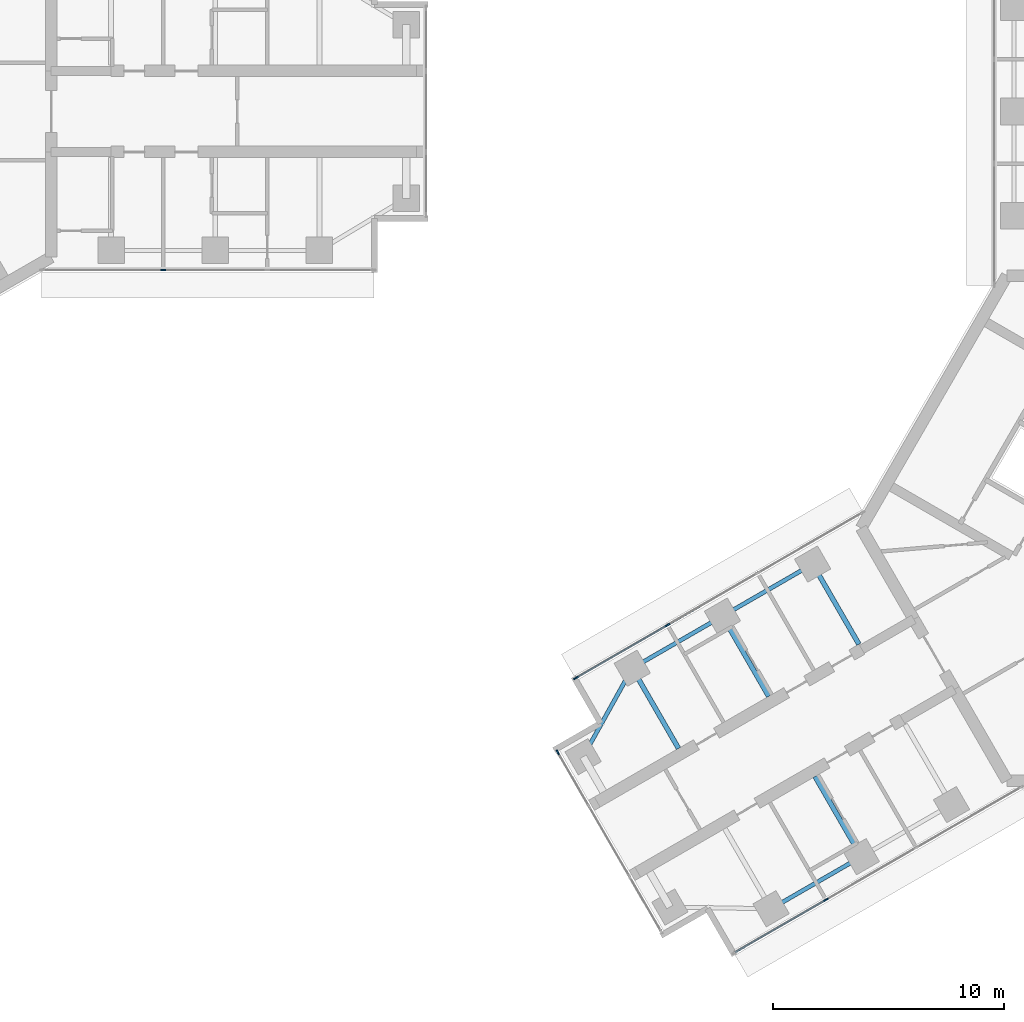
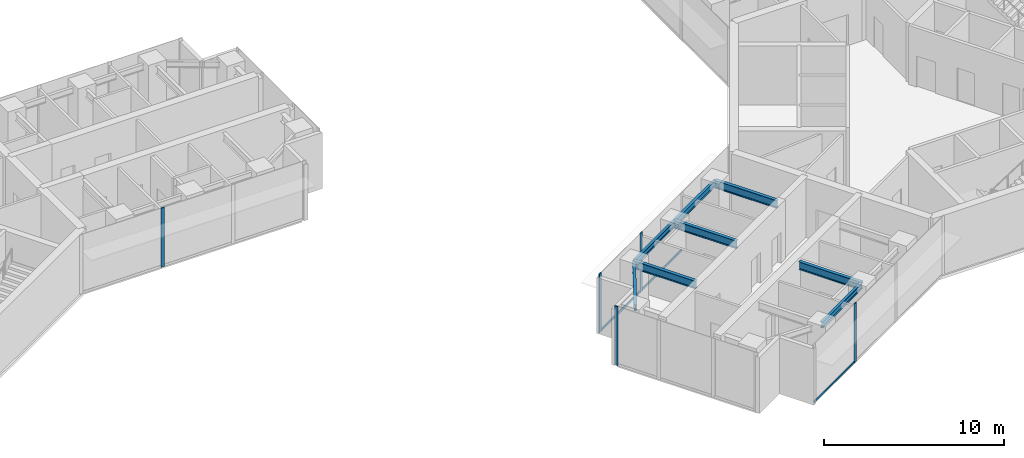
# One storey, part 3 of 17: 8 beams, 8 members, 4 elements without a shape of their own.
"""IFC4 building model written with IfcOpenShell, lengths in metres."""

import ifcopenshell
import ifcopenshell.guid

model = None  # the IFC model being written
_history = None  # IfcOwnerHistory: only IFC2X3 demands one
_inside = {}  # id of a spatial element -> (the spatial element, [elements in it])
_under = {}  # id of a project, library or spatial element -> (it, [spatial elements below it])
_declared = {}  # id of a project -> (the project, [libraries it declares])
_typed = {}  # id of a type object -> (the type object, [elements of that type])
_made_of = {}  # id of a material, layer set ... -> (it, [elements and type objects made of it])


def new_model(schema):
    """Start an empty IFC model of exactly this schema.

    Asked for "IFC4X3", IfcOpenShell would pick the latest addendum, in which some entities
    have other attributes; the version numbers below select the first issue.
    IFC2X3 requires an IfcOwnerHistory on every rooted entity: one is made here for all.
    """
    global model, _history
    if schema == "IFC4X3":
        model = ifcopenshell.file(schema_version=(4, 3, 0, 0))
    else:
        model = ifcopenshell.file(schema=schema)
    _inside.clear()
    _under.clear()
    _declared.clear()
    _typed.clear()
    _made_of.clear()
    _history = None
    if model.schema == "IFC2X3":
        org = make("IfcOrganization", Name="unknown")
        user = make(
            "IfcPersonAndOrganization",
            ThePerson=make("IfcPerson", FamilyName="unknown"),
            TheOrganization=org,
        )
        app = make(
            "IfcApplication",
            ApplicationDeveloper=org,
            Version="unknown",
            ApplicationFullName="unknown",
            ApplicationIdentifier="unknown",
        )
        _history = make(
            "IfcOwnerHistory",
            OwningUser=user,
            OwningApplication=app,
            ChangeAction="ADDED",
            CreationDate=0,
        )
    return model


def make(cls, **values):
    """One entity of the class cls with the attributes given. An attribute that is None is left unset."""
    return model.create_entity(
        cls, **{name: value for name, value in values.items() if value is not None}
    )


def rooted(cls, **values):
    """An entity with a GlobalId (a new one), such as an element, a storey or a relation."""
    return make(cls, GlobalId=ifcopenshell.guid.new(), OwnerHistory=_history, **values)


def si_unit(unit_type, name, prefix=None):
    """IfcSIUnit, for example si_unit("LENGTHUNIT", "METRE", prefix="MILLI")."""
    return make("IfcSIUnit", UnitType=unit_type, Prefix=prefix, Name=name)


def assignment(units):
    """IfcUnitAssignment: the units of a project."""
    return None if units is None else make("IfcUnitAssignment", Units=units)


def point(xyz):
    """IfcCartesianPoint."""
    return None if xyz is None else make("IfcCartesianPoint", Coordinates=xyz)


def direction(xyz):
    """IfcDirection."""
    return None if xyz is None else make("IfcDirection", DirectionRatios=xyz)


def frame(location, z_axis=None, x_axis=None):
    """IfcAxis2Placement3D, a coordinate frame: its origin and axes. An axis left out is left unset."""
    return make(
        "IfcAxis2Placement3D",
        Location=point(location),
        Axis=direction(z_axis),
        RefDirection=direction(x_axis),
    )


def frame_2d(location, x_axis=None):
    """IfcAxis2Placement2D, a coordinate frame in the plane: its origin and x axis."""
    return make(
        "IfcAxis2Placement2D", Location=point(location), RefDirection=direction(x_axis)
    )


def origin():
    """The frame at (0, 0, 0) with its axes left unset."""
    return frame((0.0, 0.0, 0.0))


def origin_2d():
    """The frame at (0, 0) in the plane with its x axis left unset."""
    return frame_2d((0.0, 0.0))


def place(relative_to, where):
    """IfcLocalPlacement: puts the frame where relative to a parent placement (None: the world)."""
    return make(
        "IfcLocalPlacement", PlacementRelTo=relative_to, RelativePlacement=where
    )


def context(
    kind, dimensions, precision=None, world=None, true_north=None, identifier=None
):
    """IfcGeometricRepresentationContext, for example the 3D "Model" context."""
    return make(
        "IfcGeometricRepresentationContext",
        ContextIdentifier=identifier,
        ContextType=kind,
        CoordinateSpaceDimension=dimensions,
        Precision=precision,
        WorldCoordinateSystem=world,
        TrueNorth=true_north,
    )


def subcontext(parent, identifier, kind, view, scale=None):
    """IfcGeometricRepresentationSubContext, for example "Body" below "Model"."""
    return make(
        "IfcGeometricRepresentationSubContext",
        ContextIdentifier=identifier,
        ContextType=kind,
        ParentContext=parent,
        TargetScale=scale,
        TargetView=view,
    )


def project(units=None, contexts=None):
    """IfcProject with its units and contexts."""
    return rooted(
        "IfcProject",
        Name="project",
        RepresentationContexts=contexts,
        UnitsInContext=assignment(units),
    )


def spatial(cls, under=None, at=None, **own):
    """A site, building, storey or space (cls), placed at a placement, below another one or the project."""
    s = rooted(cls, ObjectPlacement=at, **own)
    if under is not None:
        _under.setdefault(under.id(), (under, []))[1].append(s)
    return s


def profile(cls, at=None, kind="AREA", **sizes):
    """A parametric profile (cls). Its sizes go by their IFC names, for example OverallWidth=200.0."""
    return make(cls, ProfileType=kind, Position=at, **sizes)


def rectangle(**sizes):
    """IfcRectangleProfileDef."""
    return profile("IfcRectangleProfileDef", **sizes)


def i_section(**sizes):
    """IfcIShapeProfileDef."""
    return profile("IfcIShapeProfileDef", **sizes)


def extrude(swept, where, along, depth):
    """IfcExtrudedAreaSolid: the profile swept, set in the frame where, extruded along a direction by depth."""
    return make(
        "IfcExtrudedAreaSolid",
        SweptArea=swept,
        Position=where,
        ExtrudedDirection=direction(along),
        Depth=depth,
    )


def shape(context_of_items, identifier, shape_type, items):
    """IfcShapeRepresentation: the items that make up one representation, for example the "Body"."""
    return make(
        "IfcShapeRepresentation",
        ContextOfItems=context_of_items,
        RepresentationIdentifier=identifier,
        RepresentationType=shape_type,
        Items=items,
    )


def material(Name=None, Category=None):
    """IfcMaterial."""
    return make("IfcMaterial", Name=Name, Category=Category)


def material_profile(
    of_material, cross_section, Name=None, Category=None, Priority=None
):
    """IfcMaterialProfile: a cross section and its material."""
    return make(
        "IfcMaterialProfile",
        Name=Name,
        Material=of_material,
        Profile=cross_section,
        Priority=Priority,
        Category=Category,
    )


def profile_set(profiles, Name=None, composite=None):
    """IfcMaterialProfileSet."""
    return make(
        "IfcMaterialProfileSet",
        Name=Name,
        MaterialProfiles=profiles,
        CompositeProfile=composite,
    )


def made_of(thing, what):
    """Note that an element or type object is made of a material, layer set ...; save() writes the relation."""
    if what is not None:
        _made_of.setdefault(what.id(), (what, []))[1].append(thing)
    return thing


def type_object(cls, material=None, **own):
    """A type object (cls), such as IfcWallType, which elements share."""
    return made_of(rooted(cls, **own), material)


def element(
    cls,
    number,
    at=None,
    inside=None,
    cuts=None,
    type_object=None,
    material=None,
    context=None,
    identifier="Body",
    shape_type=None,
    held_by="IfcProductDefinitionShape",
    body=None,
    shapes=None,
    **own,
):
    """One element of the class cls, such as IfcWall. Its Tag is "e" and its number.

    at: its placement. inside: the storey or other place that contains it. cuts: it is an
    opening in that element (IfcRelVoidsElement). A single representation is given by context,
    identifier, shape_type and body (its items); several are given by shapes. held_by: the class
    of the entity that holds the representations. save() writes the other relations.
    """
    e = rooted(cls, Tag="e%d" % number, ObjectPlacement=at, **own)
    if body is not None:
        shapes = [shape(context, identifier, shape_type, body)]
    if shapes is not None:
        e.Representation = make(held_by, Representations=shapes)
    if inside is not None:
        _inside.setdefault(inside.id(), (inside, []))[1].append(e)
    if cuts is not None:
        rooted(
            "IfcRelVoidsElement", RelatingBuildingElement=cuts, RelatedOpeningElement=e
        )
    if type_object is not None:
        _typed.setdefault(type_object.id(), (type_object, []))[1].append(e)
    return made_of(e, material)


def aggregate(whole, parts):
    """IfcRelAggregates: a whole, such as a stair, and the parts it consists of."""
    return rooted("IfcRelAggregates", RelatingObject=whole, RelatedObjects=parts)


def save(model, path):
    """Write the relations noted so far, then the file.

    IfcRelAggregates (storeys below a building ...), IfcRelContainedInSpatialStructure (elements
    in a storey), IfcRelDefinesByType, IfcRelAssociatesMaterial and IfcRelDeclares: one each for
    every whole, place, type object, material and project.
    """
    for whole, parts in _under.values():
        aggregate(whole, parts)
    for where, things in _inside.values():
        rooted(
            "IfcRelContainedInSpatialStructure",
            RelatedElements=things,
            RelatingStructure=where,
        )
    for kind, things in _typed.values():
        rooted("IfcRelDefinesByType", RelatedObjects=things, RelatingType=kind)
    for what, things in _made_of.values():
        rooted("IfcRelAssociatesMaterial", RelatedObjects=things, RelatingMaterial=what)
    for by, libraries in _declared.values():
        rooted("IfcRelDeclares", RelatingContext=by, RelatedDefinitions=libraries)
    model.write(path)


model = new_model("IFC4")

# Units and contexts
model_context = context("Model", 3, precision=1e-05, world=origin(), true_north=direction((0.0, 1.0)))
body_context = subcontext(model_context, "Body", "Model", "MODEL_VIEW")
ifc_project = project(units=[si_unit("LENGTHUNIT", "METRE"), si_unit("AREAUNIT", "SQUARE_METRE"), si_unit("VOLUMEUNIT", "CUBIC_METRE"), si_unit("PLANEANGLEUNIT", "RADIAN"), si_unit("MASSUNIT", "GRAM", prefix="KILO")], contexts=[model_context])

# Site, building, storey
site_placement = place(None, origin())
site = spatial("IfcSite", under=ifc_project, at=site_placement, CompositionType="ELEMENT")
building_placement = place(site_placement, origin())
building = spatial("IfcBuilding", under=site, at=building_placement, Name="Upepo Twin Towers", CompositionType="ELEMENT")
storey_placement = place(building_placement, frame((0.0, 0.0, 214.5)))
storey = spatial("IfcBuildingStorey", under=building, at=storey_placement, Name="L52", CompositionType="ELEMENT", Elevation=214.5)

# Beams
ifc_material_1 = material(Name="Steel S355", Category="steel")
ifc_material_profile_1 = material_profile(ifc_material_1, i_section(OverallWidth=0.177978515625, OverallDepth=0.406494140625, WebThickness=0.0078125, FlangeThickness=0.0126953125, FilletRadius=0.01025390625, at=origin_2d()), Name="UB 406x178x60")
ifc_profile_set_1 = profile_set([ifc_material_profile_1], Name="Steel S355")
beam_type_1 = type_object("IfcBeamType", Name="Beam UB 406x178x60", PredefinedType="BEAM", material=ifc_profile_set_1)
beam_1_placement = place(storey_placement, frame((45.91162109375, -32.196044921875, 3.5966796875), z_axis=(-0.866031096941, -0.499990139034, 0.0), x_axis=(0.499990139034, -0.866031096941, 0.0)))
element("IfcBeam", 1, at=beam_1_placement, inside=storey, type_object=beam_type_1, Name="T2 edge beam BL 18.0-22.5", PredefinedType="BEAM", context=body_context, shape_type="SweptSolid", body=[
    extrude(i_section(OverallWidth=0.177978515625, OverallDepth=0.406494140625, WebThickness=0.0078125, FlangeThickness=0.0126953125, FilletRadius=0.01025390625, at=origin_2d()), origin(), (0.0, 0.0, 1.0), 4.5),
])
beam_2_placement = place(storey_placement, frame((43.80859375, -19.553955078125, 3.5966796875), z_axis=(-0.866017533419, -0.500013631625, 0.0), x_axis=(0.500013631625, -0.866017533419, 0.0)))
element("IfcBeam", 2, at=beam_2_placement, inside=storey, type_object=beam_type_1, Name="T2 edge beam BR 13.5-18.0", PredefinedType="BEAM", context=body_context, shape_type="SweptSolid", body=[
    extrude(i_section(OverallWidth=0.177978515625, OverallDepth=0.406494140625, WebThickness=0.0078125, FlangeThickness=0.0126953125, FilletRadius=0.01025390625, at=origin_2d()), origin(), (0.0, 0.0, 1.0), 4.499755859375),
])
beam_3_placement = place(storey_placement, frame((39.91162109375, -21.803955078125, 3.5966796875), z_axis=(-0.866031096941, -0.499990139034, 0.0), x_axis=(0.499990139034, -0.866031096941, 0.0)))
element("IfcBeam", 3, at=beam_3_placement, inside=storey, type_object=beam_type_1, Name="T2 edge beam BR 18.0-22.5", PredefinedType="BEAM", context=body_context, shape_type="SweptSolid", body=[
    extrude(i_section(OverallWidth=0.177978515625, OverallDepth=0.406494140625, WebThickness=0.0078125, FlangeThickness=0.0126953125, FilletRadius=0.01025390625, at=origin_2d()), origin(), (0.0, 0.0, 1.0), 4.5),
])
beam_4_placement = place(storey_placement, frame((36.014404296875, -24.053955078125, 3.5966796875), z_axis=(-0.485363242752, -0.874312600038, 0.0), x_axis=(0.874312600038, -0.485363242752, 0.0)))
element("IfcBeam", 4, at=beam_4_placement, inside=storey, type_object=beam_type_1, Name="T2 nose edge beam BR", PredefinedType="BEAM", context=body_context, shape_type="SweptSolid", body=[
    extrude(i_section(OverallWidth=0.177978515625, OverallDepth=0.406494140625, WebThickness=0.0078125, FlangeThickness=0.0126953125, FilletRadius=0.01025390625, at=origin_2d()), origin(), (0.0, 0.0, 1.0), 4.373046875),
])
ifc_material_2 = material(Name="Steel S355", Category="steel")
ifc_material_profile_2 = material_profile(ifc_material_2, i_section(OverallWidth=0.209228515625, OverallDepth=0.533203125, WebThickness=0.010009765625, FlangeThickness=0.015625, FilletRadius=0.0126953125, at=origin_2d()), Name="UB 533x210x92")
ifc_profile_set_2 = profile_set([ifc_material_profile_2], Name="Steel S355")
beam_type_2 = type_object("IfcBeamType", Name="Beam UB 533x210x92", PredefinedType="BEAM", material=ifc_profile_set_2)
for number, where, z_axis, x_axis, name in (
    (5, (45.91162109375, -32.196044921875, 3.533447265625), (-0.49999894854, 0.866026010844, 0.0), (-0.866026010844, -0.49999894854, 0.0), "T2 girder BL at 18.0"),
    (6, (43.80859375, -19.553955078125, 3.533447265625), (0.49999894854, -0.866026010844, 0.0), (0.866026010844, 0.49999894854, 0.0), "T2 girder BR at 13.5"),
    (7, (39.91162109375, -21.803955078125, 3.533447265625), (0.49999894854, -0.866026010844, 0.0), (0.866026010844, 0.49999894854, 0.0), "T2 girder BR at 18.0"),
    (8, (36.014404296875, -24.053955078125, 3.533447265625), (0.49999894854, -0.866026010844, 0.0), (0.866026010844, 0.49999894854, 0.0), "T2 girder BR at 22.5"),
):
    element("IfcBeam", number, at=place(storey_placement, frame(where, z_axis=z_axis, x_axis=x_axis)), inside=storey, type_object=beam_type_2, Name=name, PredefinedType="BEAM", context=body_context, shape_type="SweptSolid", body=[
        extrude(i_section(OverallWidth=0.209228515625, OverallDepth=0.533203125, WebThickness=0.010009765625, FlangeThickness=0.015625, FilletRadius=0.0126953125, at=origin_2d()), origin(), (0.0, 0.0, 1.0), 4.0),
    ])

# Curtain wall, member
ifc_material_3 = material(Name="Aluminium and fritted glass", Category="aluminium")
curtain_wall_type = type_object("IfcCurtainWallType", Name="Tower curtain wall TW3, fritted glass", PredefinedType="NOTDEFINED", material=ifc_material_3)
curtain_wall_1_placement = place(storey_placement, origin())
curtain_wall_1 = element("IfcCurtainWall", 9, at=curtain_wall_1_placement, inside=storey, type_object=curtain_wall_type, Name="T1 L52 wing A flank R curtain wall", PredefinedType="NOTDEFINED")
ifc_material_4 = material(Name="Aluminium mullion", Category="aluminium")
ifc_material_profile_3 = material_profile(ifc_material_4, rectangle(XDim=0.06494140625, YDim=0.22509765625, at=origin_2d()), Name="MULLION 65x225")
ifc_profile_set_3 = profile_set([ifc_material_profile_3], Name="Aluminium mullion")
member_type_1 = type_object("IfcMemberType", Name="Mullion 65x225 TW3", PredefinedType="MULLION", material=ifc_profile_set_3)
member_1_placement = place(storey_placement, frame((15.75, -6.85009765625, 0.0), z_axis=(0.0, 0.0, 1.0), x_axis=(0.0, -1.0, 0.0)))
member_1 = element("IfcMember", 10, at=member_1_placement, type_object=member_type_1, Name="T1 L52 wing A flank R curtain wall mullion 3", PredefinedType="MULLION", context=body_context, shape_type="SweptSolid", body=[
    extrude(rectangle(XDim=0.06494140625, YDim=0.22509765625, at=origin_2d()), origin(), (0.0, 0.0, 1.0), 4.0),
])
aggregate(curtain_wall_1, [member_1])

curtain_wall_2_placement = place(storey_placement, origin())
curtain_wall_2 = element("IfcCurtainWall", 11, at=curtain_wall_2_placement, inside=storey, type_object=curtain_wall_type, Name="T2 L52 wing B flank L curtain wall", PredefinedType="NOTDEFINED")
member_2_placement = place(storey_placement, frame((44.387939453125, -34.057373046875, 0.0), z_axis=(0.0, 0.0, 1.0), x_axis=(0.500000026527, -0.866025388469, 0.0)))
member_2 = element("IfcMember", 12, at=member_2_placement, type_object=member_type_1, Name="T2 L52 wing B flank L curtain wall mullion 3", PredefinedType="MULLION", context=body_context, shape_type="SweptSolid", body=[
    extrude(rectangle(XDim=0.06494140625, YDim=0.22509765625, at=origin_2d()), origin(), (0.0, 0.0, 1.0), 4.0),
])

# Curtain wall, members
curtain_wall_3_placement = place(storey_placement, origin())
curtain_wall_3 = element("IfcCurtainWall", 13, at=curtain_wall_3_placement, inside=storey, type_object=curtain_wall_type, Name="T2 L52 wing B flank R curtain wall", PredefinedType="NOTDEFINED")
member_3_placement = place(storey_placement, frame((33.58251953125, -24.4765625, 0.0), z_axis=(0.0, 0.0, 1.0), x_axis=(-0.500000026527, 0.866025388469, 0.0)))
member_3 = element("IfcMember", 14, at=member_3_placement, type_object=member_type_1, Name="T2 L52 wing B flank R curtain wall mullion 1", PredefinedType="MULLION", context=body_context, shape_type="SweptSolid", body=[
    extrude(rectangle(XDim=0.06494140625, YDim=0.22509765625, at=origin_2d()), origin(), (0.0, 0.0, 1.0), 4.0),
])
member_4_placement = place(storey_placement, frame((37.5380859375, -22.192626953125, 0.0), z_axis=(0.0, 0.0, 1.0), x_axis=(-0.500000026527, 0.866025388469, 0.0)))
member_4 = element("IfcMember", 15, at=member_4_placement, type_object=member_type_1, Name="T2 L52 wing B flank R curtain wall mullion 2", PredefinedType="MULLION", context=body_context, shape_type="SweptSolid", body=[
    extrude(rectangle(XDim=0.06494140625, YDim=0.22509765625, at=origin_2d()), origin(), (0.0, 0.0, 1.0), 4.0),
])

# Curtain wall, member
curtain_wall_4_placement = place(storey_placement, origin())
curtain_wall_4 = element("IfcCurtainWall", 16, at=curtain_wall_4_placement, inside=storey, type_object=curtain_wall_type, Name="T2 L52 wing B nose curtain wall", PredefinedType="NOTDEFINED")
member_5_placement = place(storey_placement, frame((32.796875, -27.68115234375, 0.0), z_axis=(0.0, 0.0, 1.0), x_axis=(0.866025386174, 0.500000030502, 0.0)))
member_5 = element("IfcMember", 17, at=member_5_placement, type_object=member_type_1, Name="T2 L52 wing B nose curtain wall mullion 1", PredefinedType="MULLION", context=body_context, shape_type="SweptSolid", body=[
    extrude(rectangle(XDim=0.06494140625, YDim=0.22509765625, at=origin_2d()), origin(), (0.0, 0.0, 1.0), 4.0),
])
aggregate(curtain_wall_4, [member_5])

# Member
ifc_material_5 = material(Name="Aluminium transom", Category="aluminium")
ifc_material_profile_4 = material_profile(ifc_material_5, rectangle(XDim=0.06494140625, YDim=0.14990234375, at=origin_2d()), Name="TRANSOM 65x150")
ifc_profile_set_4 = profile_set([ifc_material_profile_4], Name="Aluminium transom")
member_type_2 = type_object("IfcMemberType", Name="Transom 65x150 TW3", PredefinedType="USERDEFINED", material=ifc_profile_set_4)
member_6_placement = place(storey_placement, frame((44.35986328125, -34.073486328125, 0.074951171875), z_axis=(-0.866035699072, -0.499982167615, 0.0), x_axis=(0.499982167615, -0.866035699072, 0.0)))
member_6 = element("IfcMember", 18, at=member_6_placement, type_object=member_type_2, Name="T2 L52 wing B flank L curtain wall transom 3", ObjectType="TRANSOM", PredefinedType="USERDEFINED", context=body_context, shape_type="SweptSolid", body=[
    extrude(rectangle(XDim=0.06494140625, YDim=0.14990234375, at=origin_2d()), origin(), (0.0, 0.0, 1.0), 4.502685546875),
])

aggregate(curtain_wall_2, [member_2, member_6])

member_7_placement = place(storey_placement, frame((33.610595703125, -24.460205078125, 0.074951171875), z_axis=(0.866022143554, 0.500005646842, 0.0), x_axis=(-0.500005646842, 0.866022143554, 0.0)))
member_7 = element("IfcMember", 19, at=member_7_placement, type_object=member_type_2, Name="T2 L52 wing B flank R curtain wall transom 1", ObjectType="TRANSOM", PredefinedType="USERDEFINED", context=body_context, shape_type="SweptSolid", body=[
    extrude(rectangle(XDim=0.06494140625, YDim=0.14990234375, at=origin_2d()), origin(), (0.0, 0.0, 1.0), 4.50244140625),
])

member_8_placement = place(storey_placement, frame((37.566162109375, -22.176513671875, 0.074951171875), z_axis=(0.866022410713, 0.500005184116, 0.0), x_axis=(-0.500005184116, 0.866022410713, 0.0)))
member_8 = element("IfcMember", 20, at=member_8_placement, type_object=member_type_2, Name="T2 L52 wing B flank R curtain wall transom 2", ObjectType="TRANSOM", PredefinedType="USERDEFINED", context=body_context, shape_type="SweptSolid", body=[
    extrude(rectangle(XDim=0.06494140625, YDim=0.14990234375, at=origin_2d()), origin(), (0.0, 0.0, 1.0), 4.43505859375),
])

aggregate(curtain_wall_3, [member_3, member_4, member_7, member_8])

save(model, "model.ifc")
